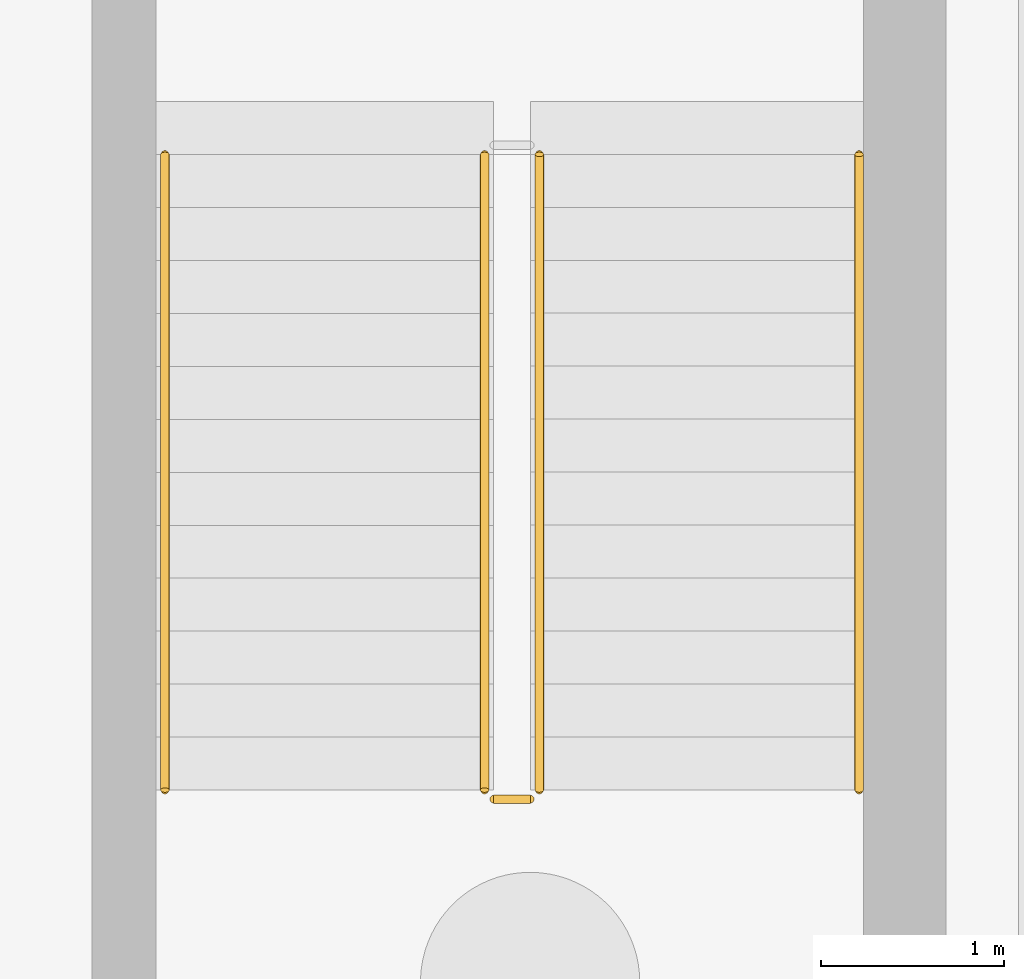
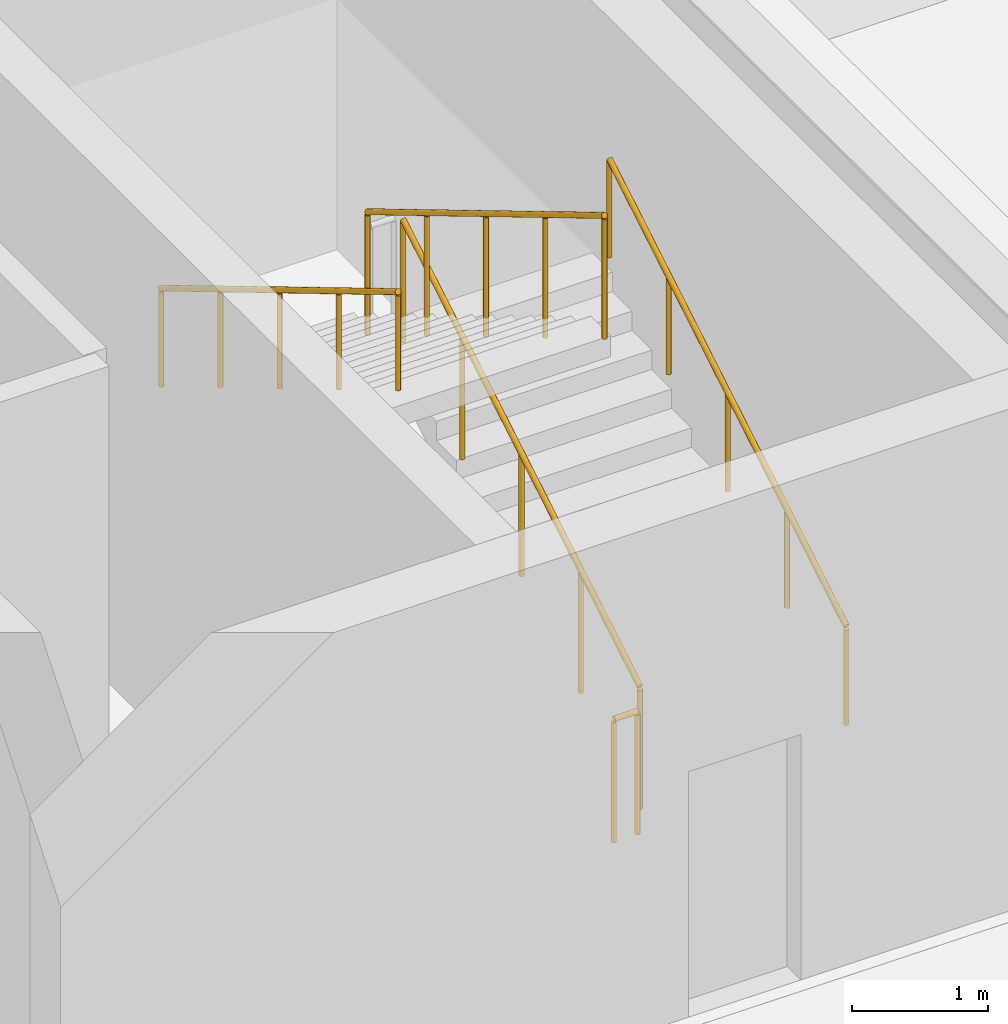
# One storey, part 44 of 49: 5 railings.
"""IFC4 building model written with IfcOpenShell, lengths in metres."""

from ifc_helpers import new_model, si_unit, direction, frame, origin, origin_2d, place, context, subcontext, project, spatial, circle, extrude, material, type_object, element, save


model = new_model("IFC4")

# Units and contexts
model_context = context("Model", 3, precision=1e-05, world=origin(), true_north=direction((0.0, 1.0)))
body_context = subcontext(model_context, "Body", "Model", "MODEL_VIEW")
ifc_project = project(units=[si_unit("LENGTHUNIT", "METRE"), si_unit("AREAUNIT", "SQUARE_METRE"), si_unit("VOLUMEUNIT", "CUBIC_METRE"), si_unit("PLANEANGLEUNIT", "RADIAN"), si_unit("MASSUNIT", "GRAM", prefix="KILO")], contexts=[model_context])

# Site, building, storey
site_placement = place(None, origin())
site = spatial("IfcSite", under=ifc_project, at=site_placement, CompositionType="ELEMENT")
building_placement = place(site_placement, origin())
building = spatial("IfcBuilding", under=site, at=building_placement, Name="Sollismere Congress Hotel", CompositionType="ELEMENT")
storey_placement = place(building_placement, frame((0.0, 0.0, -4.5)))
storey = spatial("IfcBuildingStorey", under=building, at=storey_placement, Name="B1", CompositionType="ELEMENT", Elevation=-4.5)

# Railings
ifc_material_1 = material(Name="Steel ASTM A500 Grade C", Category="steel")
railing_type_1 = type_object("IfcRailingType", Name="RL-GRD112", PredefinedType="GUARDRAIL", material=ifc_material_1)
railing_1_placement = place(storey_placement, frame((15.199951171875, 58.449951171875, 0.173095703125)))
element("IfcRailing", 1, at=railing_1_placement, inside=storey, type_object=railing_type_1, Name="RLG-RG-ST-05-B1-1", PredefinedType="GUARDRAIL", context=body_context, shape_type="SweptSolid", body=[
    extrude(circle(Radius=0.02392578125, at=origin_2d()), frame((0.0, 0.0, 1.09619140625), z_axis=(0.0, 0.858697190188, 0.512483302717), x_axis=(-1.0, 0.0, 0.0)), (0.0, 0.0, 1.0), 4.052734375),
    extrude(circle(Radius=0.02099609375, at=origin_2d()), origin(), (0.0, 0.0, 1.0), 1.072021484375),
    extrude(circle(Radius=0.02099609375, at=origin_2d()), frame((0.0, 0.8701171875, 0.519287109375)), (0.0, 0.0, 1.0), 1.072021484375),
    extrude(circle(Radius=0.02099609375, at=origin_2d()), frame((0.0, 1.739990234375, 1.03857421875)), (0.0, 0.0, 1.0), 1.072021484375),
    extrude(circle(Radius=0.02099609375, at=origin_2d()), frame((0.0, 2.60986328125, 1.5576171875)), (0.0, 0.0, 1.0), 1.072021484375),
    extrude(circle(Radius=0.02099609375, at=origin_2d()), frame((0.0, 3.47998046875, 2.076904296875)), (0.0, 0.0, 1.0), 1.072021484375),
])
railing_2_placement = place(storey_placement, frame((14.89990234375, 61.929931640625, 2.423095703125)))
element("IfcRailing", 2, at=railing_2_placement, inside=storey, type_object=railing_type_1, Name="RLG-RG-ST-05-B1-3", PredefinedType="GUARDRAIL", context=body_context, shape_type="SweptSolid", body=[
    extrude(circle(Radius=0.02392578125, at=origin_2d()), frame((0.0, 0.0, 1.09619140625), z_axis=(0.0, -0.858697190188, 0.512483302717), x_axis=(1.0, 0.0, 0.0)), (0.0, 0.0, 1.0), 4.052734375),
    extrude(circle(Radius=0.02099609375, at=origin_2d()), origin(), (0.0, 0.0, 1.0), 1.072021484375),
    extrude(circle(Radius=0.02099609375, at=origin_2d()), frame((0.0, -0.8701171875, 0.519287109375)), (0.0, 0.0, 1.0), 1.072021484375),
    extrude(circle(Radius=0.02099609375, at=origin_2d()), frame((0.0, -1.739990234375, 1.03857421875)), (0.0, 0.0, 1.0), 1.072021484375),
    extrude(circle(Radius=0.02099609375, at=origin_2d()), frame((0.0, -2.60986328125, 1.5576171875)), (0.0, 0.0, 1.0), 1.072021484375),
    extrude(circle(Radius=0.02099609375, at=origin_2d()), frame((0.0, -3.47998046875, 2.076904296875)), (0.0, 0.0, 1.0), 1.072021484375),
])
railing_3_placement = place(storey_placement, frame((15.14990234375, 58.39990234375, 0.0)))
element("IfcRailing", 3, at=railing_3_placement, inside=storey, type_object=railing_type_1, Name="RLG-RG-ST-05-B1-4", PredefinedType="GUARDRAIL", context=body_context, shape_type="SweptSolid", body=[
    extrude(circle(Radius=0.02392578125, at=origin_2d()), frame((0.0, 0.0, 1.09619140625), z_axis=(-1.0, 0.0, 0.0), x_axis=(0.0, -1.0, 0.0)), (0.0, 0.0, 1.0), 0.199951171875),
    extrude(circle(Radius=0.02099609375, at=origin_2d()), origin(), (0.0, 0.0, 1.0), 1.072021484375),
    extrude(circle(Radius=0.02099609375, at=origin_2d()), frame((-0.199951171875, 0.0, 0.0)), (0.0, 0.0, 1.0), 1.072021484375),
])
ifc_material_2 = material(Name="Brushed Architectural Bronze")
railing_type_2 = type_object("IfcRailingType", Name="RL-HND90", PredefinedType="HANDRAIL", material=ifc_material_2)
railing_4_placement = place(storey_placement, frame((16.949951171875, 58.449951171875, 0.322265625)))
element("IfcRailing", 4, at=railing_4_placement, inside=storey, type_object=railing_type_2, Name="RLG-RH-ST-05-B1-1", PredefinedType="HANDRAIL", context=body_context, shape_type="SweptSolid", body=[
    extrude(circle(Radius=0.02392578125, at=origin_2d()), frame((0.0, 0.0, 0.8759765625), z_axis=(0.0, 0.858697190188, 0.512483302717), x_axis=(-1.0, 0.0, 0.0)), (0.0, 0.0, 1.0), 4.052734375),
    extrude(circle(Radius=0.02099609375, at=origin_2d()), origin(), (0.0, 0.0, 1.0), 0.851806640625),
    extrude(circle(Radius=0.02099609375, at=origin_2d()), frame((0.0, 0.8701171875, 0.519287109375)), (0.0, 0.0, 1.0), 0.851806640625),
    extrude(circle(Radius=0.02099609375, at=origin_2d()), frame((0.0, 1.739990234375, 1.03857421875)), (0.0, 0.0, 1.0), 0.851806640625),
    extrude(circle(Radius=0.02099609375, at=origin_2d()), frame((0.0, 2.60986328125, 1.5576171875)), (0.0, 0.0, 1.0), 0.851806640625),
    extrude(circle(Radius=0.02099609375, at=origin_2d()), frame((0.0, 3.47998046875, 2.076904296875)), (0.0, 0.0, 1.0), 0.851806640625),
])
railing_5_placement = place(storey_placement, frame((13.14990234375, 61.929931640625, 2.572265625)))
element("IfcRailing", 5, at=railing_5_placement, inside=storey, type_object=railing_type_2, Name="RLG-RH-ST-05-B1-2", PredefinedType="HANDRAIL", context=body_context, shape_type="SweptSolid", body=[
    extrude(circle(Radius=0.02392578125, at=origin_2d()), frame((0.0, 0.0, 0.8759765625), z_axis=(0.0, -0.858697190188, 0.512483302717), x_axis=(1.0, 0.0, 0.0)), (0.0, 0.0, 1.0), 4.052734375),
    extrude(circle(Radius=0.02099609375, at=origin_2d()), origin(), (0.0, 0.0, 1.0), 0.851806640625),
    extrude(circle(Radius=0.02099609375, at=origin_2d()), frame((0.0, -0.8701171875, 0.519287109375)), (0.0, 0.0, 1.0), 0.851806640625),
    extrude(circle(Radius=0.02099609375, at=origin_2d()), frame((0.0, -1.739990234375, 1.03857421875)), (0.0, 0.0, 1.0), 0.851806640625),
    extrude(circle(Radius=0.02099609375, at=origin_2d()), frame((0.0, -2.60986328125, 1.5576171875)), (0.0, 0.0, 1.0), 0.851806640625),
    extrude(circle(Radius=0.02099609375, at=origin_2d()), frame((0.0, -3.47998046875, 2.076904296875)), (0.0, 0.0, 1.0), 0.851806640625),
])

save(model, "model.ifc")
